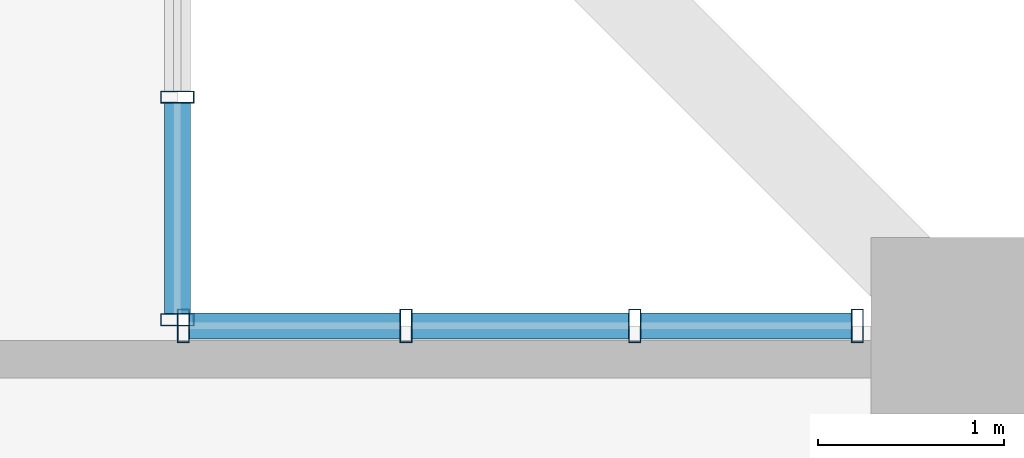
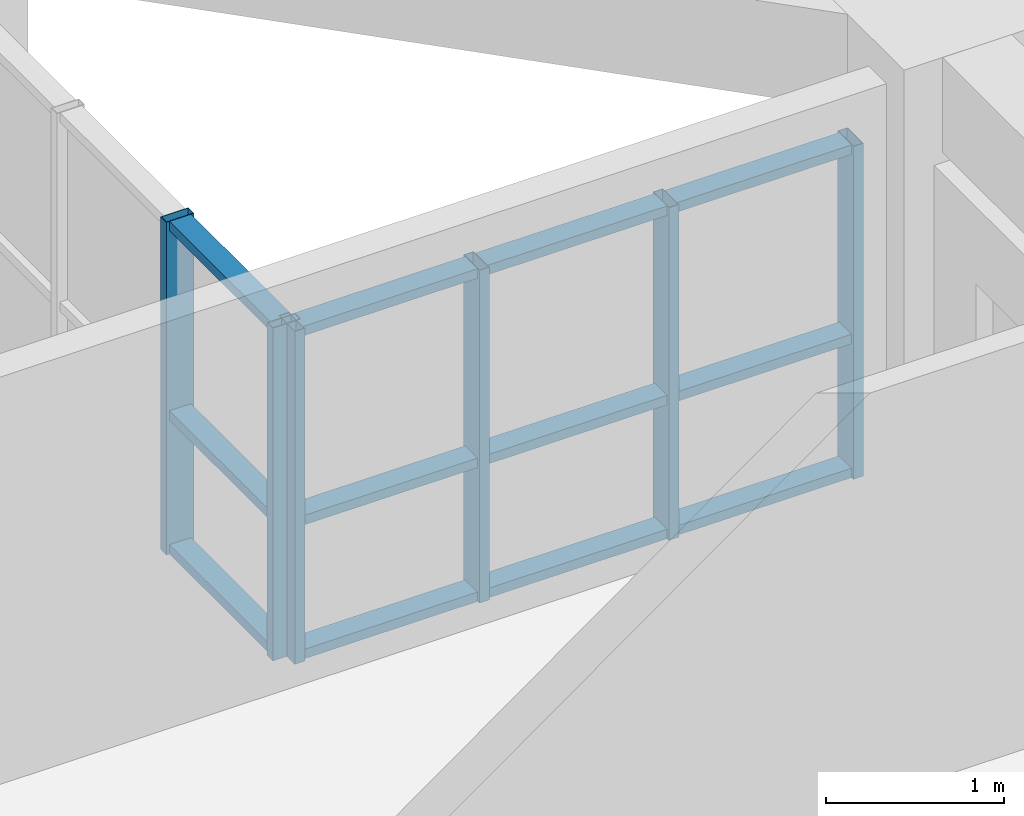
# One storey, part 10 of 24: 18 members, 2 elements without a shape of their own.
"""IFC4 building model written with IfcOpenShell, lengths in metres."""

from ifc_helpers import new_model, si_unit, direction, frame, origin, origin_2d, place, context, subcontext, project, spatial, hollow_rectangle, extrude, source, transform, mapped, material, layer, layer_set, material_profile, profile_set, type_object, element, aggregate, save


model = new_model("IFC4")

# Units and contexts
model_context = context("Model", 3, precision=1e-05, world=origin(), true_north=direction((0.0, 1.0)))
body_context = subcontext(model_context, "Body", "Model", "MODEL_VIEW")
ifc_project = project(units=[si_unit("LENGTHUNIT", "METRE"), si_unit("AREAUNIT", "SQUARE_METRE"), si_unit("VOLUMEUNIT", "CUBIC_METRE"), si_unit("PLANEANGLEUNIT", "RADIAN"), si_unit("MASSUNIT", "GRAM", prefix="KILO")], contexts=[model_context])

# Site, building, storey
site_placement = place(None, origin())
site = spatial("IfcSite", under=ifc_project, at=site_placement, CompositionType="ELEMENT")
building_placement = place(site_placement, origin())
building = spatial("IfcBuilding", under=site, at=building_placement, Name="Saelheon Loggia Tower", CompositionType="ELEMENT")
storey_placement = place(building_placement, frame((0.0, 0.0, 98.85009765625)))
storey = spatial("IfcBuildingStorey", under=building, at=storey_placement, Name="L31", CompositionType="ELEMENT", Elevation=98.85009765625)

# Curtain wall, members
ifc_material_1 = material(Name="Thermal-Break Aluminium and Triple Low-E Glass", Category="aluminium")
ifc_layer = layer(ifc_material_1, 0.159912109375)
ifc_layer_set = layer_set([ifc_layer], Name="Thermal-Break Aluminium and Triple Low-E Glass")
curtain_wall_type = type_object("IfcCurtainWallType", Name="CW_TowerLoggiaLow", PredefinedType="NOTDEFINED", material=ifc_layer_set)
curtain_wall_1_placement = place(storey_placement, origin())
curtain_wall_1 = element("IfcCurtainWall", 1, at=curtain_wall_1_placement, inside=storey, type_object=curtain_wall_type, Name="L31 Corner Notch Glazing NE1", PredefinedType="NOTDEFINED")
ifc_material_2 = material(Name="Anodised Aluminium 6063-T6", Category="aluminium")
ifc_material_profile_1 = material_profile(ifc_material_2, hollow_rectangle(XDim=0.06494140625, YDim=0.179931640625, WallThickness=0.00390625, at=origin_2d()), Name="RHS-180x65x4")
ifc_profile_set_1 = profile_set([ifc_material_profile_1], Name="Anodised Aluminium 6063-T6")
member_type_1 = type_object("IfcMemberType", Name="CW_TowerLoggiaLow_Mullion", PredefinedType="MULLION", material=ifc_profile_set_1)
shared_shape_1 = source(origin(), body_context, "Body", "SweptSolid", [
    extrude(hollow_rectangle(XDim=0.06494140625, YDim=0.179931640625, WallThickness=0.00390625, at=origin_2d()), origin(), (0.0, 0.0, 1.0), 2.27978515625),
])
member_1_placement = place(storey_placement, frame((59.800048828125, 46.83251953125, 0.0), z_axis=(0.0, 0.0, 1.0), x_axis=(0.0, 1.0, 0.0)))
member_1 = element("IfcMember", 2, at=member_1_placement, type_object=member_type_1, Name="CW3 mullion 1", PredefinedType="MULLION", context=body_context, shape_type="MappedRepresentation", body=[
    mapped(shared_shape_1, transform((0.0, 0.0, 0.0), scale=1.0)),
])
member_2_placement = place(storey_placement, frame((59.800048828125, 48.0283203125, 0.0), z_axis=(0.0, 0.0, 1.0), x_axis=(0.0, 1.0, 0.0)))
member_2 = element("IfcMember", 3, at=member_2_placement, type_object=member_type_1, Name="CW3 mullion 2", PredefinedType="MULLION", context=body_context, shape_type="MappedRepresentation", body=[
    mapped(shared_shape_1, transform((0.0, 0.0, 0.0), scale=1.0)),
])

curtain_wall_2_placement = place(storey_placement, origin())
curtain_wall_2 = element("IfcCurtainWall", 4, at=curtain_wall_2_placement, inside=storey, type_object=curtain_wall_type, Name="L31 Corner Notch Glazing NE2", PredefinedType="NOTDEFINED")
member_3_placement = place(storey_placement, frame((59.83251953125, 46.800048828125, 0.0), z_axis=(0.0, 0.0, 1.0), x_axis=(1.0, 0.0, 0.0)))
member_3 = element("IfcMember", 5, at=member_3_placement, type_object=member_type_1, Name="CW3 mullion 1", PredefinedType="MULLION", context=body_context, shape_type="MappedRepresentation", body=[
    mapped(shared_shape_1, transform((0.0, 0.0, 0.0), scale=1.0)),
])
member_4_placement = place(storey_placement, frame((61.0283203125, 46.800048828125, 0.0), z_axis=(0.0, 0.0, 1.0), x_axis=(1.0, 0.0, 0.0)))
member_4 = element("IfcMember", 6, at=member_4_placement, type_object=member_type_1, Name="CW3 mullion 2", PredefinedType="MULLION", context=body_context, shape_type="MappedRepresentation", body=[
    mapped(shared_shape_1, transform((0.0, 0.0, 0.0), scale=1.0)),
])
member_5_placement = place(storey_placement, frame((62.256591796875, 46.800048828125, 0.0), z_axis=(0.0, 0.0, 1.0), x_axis=(1.0, 0.0, 0.0)))
member_5 = element("IfcMember", 7, at=member_5_placement, type_object=member_type_1, Name="CW3 mullion 3", PredefinedType="MULLION", context=body_context, shape_type="MappedRepresentation", body=[
    mapped(shared_shape_1, transform((0.0, 0.0, 0.0), scale=1.0)),
])
member_6_placement = place(storey_placement, frame((63.452392578125, 46.800048828125, 0.0), z_axis=(0.0, 0.0, 1.0), x_axis=(1.0, 0.0, 0.0)))
member_6 = element("IfcMember", 8, at=member_6_placement, type_object=member_type_1, Name="CW3 mullion 4", PredefinedType="MULLION", context=body_context, shape_type="MappedRepresentation", body=[
    mapped(shared_shape_1, transform((0.0, 0.0, 0.0), scale=1.0)),
])

# Member
ifc_material_profile_2 = material_profile(ifc_material_2, hollow_rectangle(XDim=0.06494140625, YDim=0.139892578125, WallThickness=0.00390625, at=origin_2d()), Name="RHS-140x65x4")
ifc_profile_set_2 = profile_set([ifc_material_profile_2], Name="Anodised Aluminium 6063-T6")
member_type_2 = type_object("IfcMemberType", Name="CW_TowerLoggiaLow_Transom", PredefinedType="USERDEFINED", material=ifc_profile_set_2)
shared_shape_2 = source(origin(), body_context, "Body", "SweptSolid", [
    extrude(hollow_rectangle(XDim=0.06494140625, YDim=0.139892578125, WallThickness=0.00390625, at=origin_2d()), origin(), (0.0, 0.0, 1.0), 1.130859375),
])
member_7_placement = place(storey_placement, frame((59.800048828125, 46.864990234375, 0.032470703125), z_axis=(0.0, 1.0, 0.0), x_axis=(0.0, 0.0, 1.0)))
member_7 = element("IfcMember", 9, at=member_7_placement, type_object=member_type_2, Name="CW3 transom 1.1", ObjectType="TRANSOM", PredefinedType="USERDEFINED", context=body_context, shape_type="MappedRepresentation", body=[
    mapped(shared_shape_2, transform((0.0, 0.0, 0.0), scale=1.0)),
])

member_8_placement = place(storey_placement, frame((59.800048828125, 46.864990234375, 0.949951171875), z_axis=(0.0, 1.0, 0.0), x_axis=(0.0, 0.0, 1.0)))
member_8 = element("IfcMember", 10, at=member_8_placement, type_object=member_type_2, Name="CW3 transom 1.2", ObjectType="TRANSOM", PredefinedType="USERDEFINED", context=body_context, shape_type="MappedRepresentation", body=[
    mapped(shared_shape_2, transform((0.0, 0.0, 0.0), scale=1.0)),
])

member_9_placement = place(storey_placement, frame((59.800048828125, 46.864990234375, 2.247314453125), z_axis=(0.0, 1.0, 0.0), x_axis=(0.0, 0.0, 1.0)))
member_9 = element("IfcMember", 11, at=member_9_placement, type_object=member_type_2, Name="CW3 transom 1.3", ObjectType="TRANSOM", PredefinedType="USERDEFINED", context=body_context, shape_type="MappedRepresentation", body=[
    mapped(shared_shape_2, transform((0.0, 0.0, 0.0), scale=1.0)),
])

aggregate(curtain_wall_1, [member_1, member_2, member_7, member_8, member_9])

member_10_placement = place(storey_placement, frame((59.864990234375, 46.800048828125, 0.032470703125), z_axis=(1.0, 0.0, 0.0), x_axis=(0.0, 0.0, 1.0)))
member_10 = element("IfcMember", 12, at=member_10_placement, type_object=member_type_2, Name="CW3 transom 1.1", ObjectType="TRANSOM", PredefinedType="USERDEFINED", context=body_context, shape_type="MappedRepresentation", body=[
    mapped(shared_shape_2, transform((0.0, 0.0, 0.0), scale=1.0)),
])

member_11_placement = place(storey_placement, frame((59.864990234375, 46.800048828125, 0.949951171875), z_axis=(1.0, 0.0, 0.0), x_axis=(0.0, 0.0, 1.0)))
member_11 = element("IfcMember", 13, at=member_11_placement, type_object=member_type_2, Name="CW3 transom 1.2", ObjectType="TRANSOM", PredefinedType="USERDEFINED", context=body_context, shape_type="MappedRepresentation", body=[
    mapped(shared_shape_2, transform((0.0, 0.0, 0.0), scale=1.0)),
])

member_12_placement = place(storey_placement, frame((59.864990234375, 46.800048828125, 2.247314453125), z_axis=(1.0, 0.0, 0.0), x_axis=(0.0, 0.0, 1.0)))
member_12 = element("IfcMember", 14, at=member_12_placement, type_object=member_type_2, Name="CW3 transom 1.3", ObjectType="TRANSOM", PredefinedType="USERDEFINED", context=body_context, shape_type="MappedRepresentation", body=[
    mapped(shared_shape_2, transform((0.0, 0.0, 0.0), scale=1.0)),
])

member_13_placement = place(storey_placement, frame((62.2890625, 46.800048828125, 0.032470703125), z_axis=(1.0, 0.0, 0.0), x_axis=(0.0, 0.0, 1.0)))
member_13 = element("IfcMember", 15, at=member_13_placement, type_object=member_type_2, Name="CW3 transom 3.1", ObjectType="TRANSOM", PredefinedType="USERDEFINED", context=body_context, shape_type="MappedRepresentation", body=[
    mapped(shared_shape_2, transform((0.0, 0.0, 0.0), scale=1.0)),
])

member_14_placement = place(storey_placement, frame((62.2890625, 46.800048828125, 0.949951171875), z_axis=(1.0, 0.0, 0.0), x_axis=(0.0, 0.0, 1.0)))
member_14 = element("IfcMember", 16, at=member_14_placement, type_object=member_type_2, Name="CW3 transom 3.2", ObjectType="TRANSOM", PredefinedType="USERDEFINED", context=body_context, shape_type="MappedRepresentation", body=[
    mapped(shared_shape_2, transform((0.0, 0.0, 0.0), scale=1.0)),
])

member_15_placement = place(storey_placement, frame((62.2890625, 46.800048828125, 2.247314453125), z_axis=(1.0, 0.0, 0.0), x_axis=(0.0, 0.0, 1.0)))
member_15 = element("IfcMember", 17, at=member_15_placement, type_object=member_type_2, Name="CW3 transom 3.3", ObjectType="TRANSOM", PredefinedType="USERDEFINED", context=body_context, shape_type="MappedRepresentation", body=[
    mapped(shared_shape_2, transform((0.0, 0.0, 0.0), scale=1.0)),
])

shared_shape_3 = source(origin(), body_context, "Body", "SweptSolid", [
    extrude(hollow_rectangle(XDim=0.06494140625, YDim=0.139892578125, WallThickness=0.00390625, at=origin_2d()), origin(), (0.0, 0.0, 1.0), 1.163330078125),
])
member_16_placement = place(storey_placement, frame((61.060791015625, 46.800048828125, 0.032470703125), z_axis=(1.0, 0.0, 0.0), x_axis=(0.0, 0.0, 1.0)))
member_16 = element("IfcMember", 18, at=member_16_placement, type_object=member_type_2, Name="CW3 transom 2.1", ObjectType="TRANSOM", PredefinedType="USERDEFINED", context=body_context, shape_type="MappedRepresentation", body=[
    mapped(shared_shape_3, transform((0.0, 0.0, 0.0), scale=1.0)),
])

member_17_placement = place(storey_placement, frame((61.060791015625, 46.800048828125, 0.949951171875), z_axis=(1.0, 0.0, 0.0), x_axis=(0.0, 0.0, 1.0)))
member_17 = element("IfcMember", 19, at=member_17_placement, type_object=member_type_2, Name="CW3 transom 2.2", ObjectType="TRANSOM", PredefinedType="USERDEFINED", context=body_context, shape_type="MappedRepresentation", body=[
    mapped(shared_shape_3, transform((0.0, 0.0, 0.0), scale=1.0)),
])

member_18_placement = place(storey_placement, frame((61.060791015625, 46.800048828125, 2.247314453125), z_axis=(1.0, 0.0, 0.0), x_axis=(0.0, 0.0, 1.0)))
member_18 = element("IfcMember", 20, at=member_18_placement, type_object=member_type_2, Name="CW3 transom 2.3", ObjectType="TRANSOM", PredefinedType="USERDEFINED", context=body_context, shape_type="MappedRepresentation", body=[
    mapped(shared_shape_3, transform((0.0, 0.0, 0.0), scale=1.0)),
])

aggregate(curtain_wall_2, [member_3, member_4, member_5, member_6, member_10, member_11, member_12, member_16, member_17, member_18, member_13, member_14, member_15])

save(model, "model.ifc")
